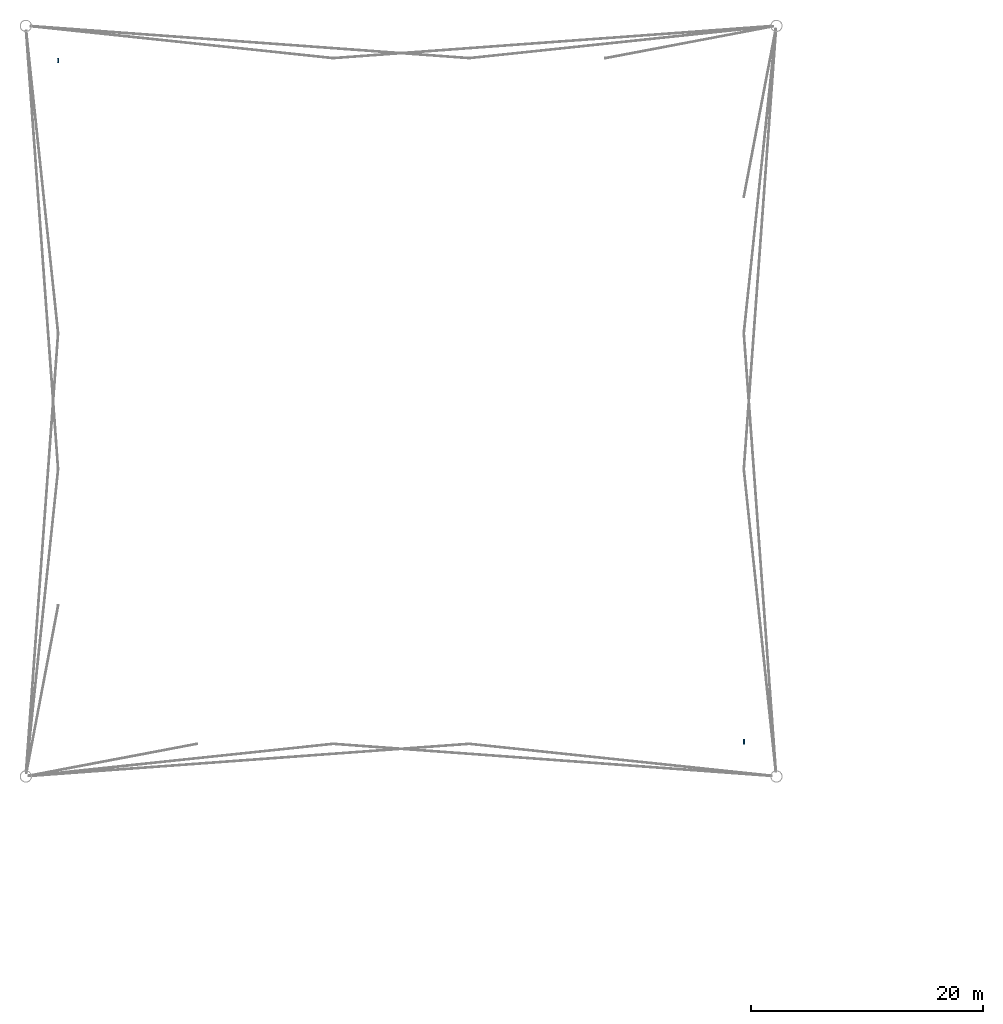
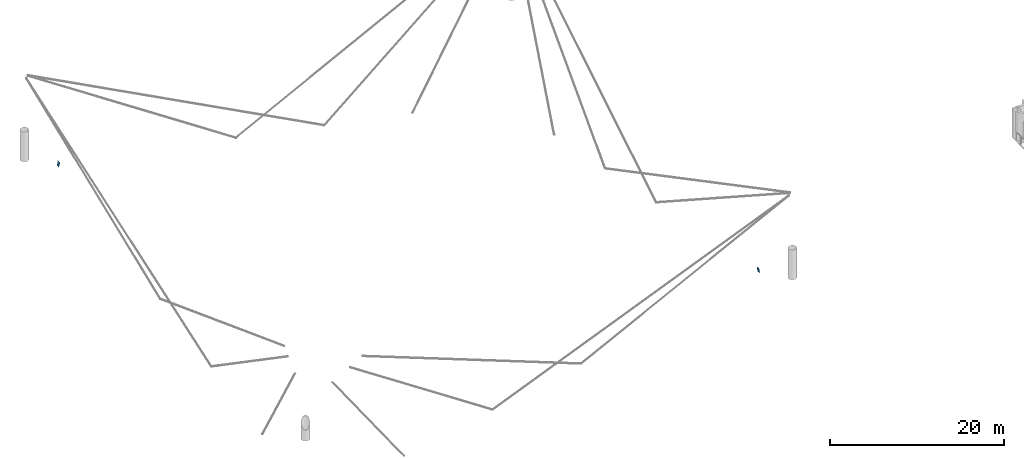
# One storey, part 10 of 18: 2 plates.
"""IFC4 building model written with IfcOpenShell, lengths in metres."""

from ifc_helpers import new_model, si_unit, direction, frame, origin, origin_2d, place, context, subcontext, project, spatial, rectangle, extrude, material, layer, layer_set, type_object, element, save


model = new_model("IFC4")

# Units and contexts
model_context = context("Model", 3, precision=1e-05, world=origin(), true_north=direction((0.0, 1.0)))
body_context = subcontext(model_context, "Body", "Model", "MODEL_VIEW")
ifc_project = project(units=[si_unit("LENGTHUNIT", "METRE"), si_unit("AREAUNIT", "SQUARE_METRE"), si_unit("VOLUMEUNIT", "CUBIC_METRE"), si_unit("PLANEANGLEUNIT", "RADIAN"), si_unit("MASSUNIT", "GRAM", prefix="KILO")], contexts=[model_context])

# Site, building, storey
site_placement = place(None, origin())
site = spatial("IfcSite", under=ifc_project, at=site_placement, CompositionType="ELEMENT")
building_placement = place(site_placement, origin())
building = spatial("IfcBuilding", under=site, at=building_placement, Name="Cresset Court Congress Hotel", CompositionType="ELEMENT")
storey_placement = place(building_placement, frame((0.0, 0.0, 35.39990234375)))
storey = spatial("IfcBuildingStorey", under=building, at=storey_placement, Name="L08", CompositionType="ELEMENT", Elevation=35.39990234375)

# Plates
ifc_material = material(Name="Structural steel Q355B", Category="steel")
ifc_layer = layer(ifc_material, 0.02490234375)
ifc_layer_set = layer_set([ifc_layer], Name="Ring beam end plate 600x400x25")
plate_type = type_object("IfcPlateType", Name="Ring beam end plate 600x400x25", PredefinedType="USERDEFINED", material=ifc_layer_set)
plate_1_placement = place(storey_placement, frame((117.800048828125, 58.800048828125, 0.21484375), z_axis=(0.980580675691, 0.0, 0.196116135138), x_axis=(0.0, 1.0, 0.0)))
element("IfcPlate", 1, at=plate_1_placement, inside=storey, type_object=plate_type, Name="Ring beam end plate RB-S-2", ObjectType="END PLATE", PredefinedType="USERDEFINED", context=body_context, shape_type="SweptSolid", body=[
    extrude(rectangle(XDim=0.39990234375, YDim=0.60009765625, at=origin_2d()), origin(), (0.0, 0.0, 1.0), 0.02490234375),
])
plate_2_placement = place(storey_placement, frame((58.60009765625, 117.60009765625, 0.21484375), z_axis=(-0.98095245073, 0.0, 0.194248010046), x_axis=(0.0, -1.0, 0.0)))
element("IfcPlate", 2, at=plate_2_placement, inside=storey, type_object=plate_type, Name="Ring beam end plate RB-N-2", ObjectType="END PLATE", PredefinedType="USERDEFINED", context=body_context, shape_type="SweptSolid", body=[
    extrude(rectangle(XDim=0.39990234375, YDim=0.60009765625, at=origin_2d()), origin(), (0.0, 0.0, 1.0), 0.025146484375),
])

save(model, "model.ifc")
